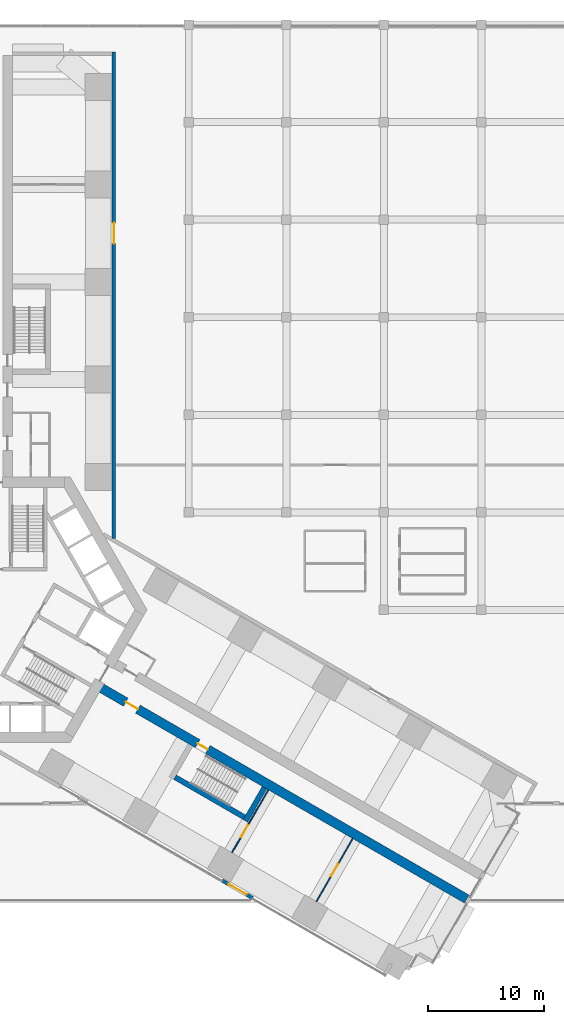
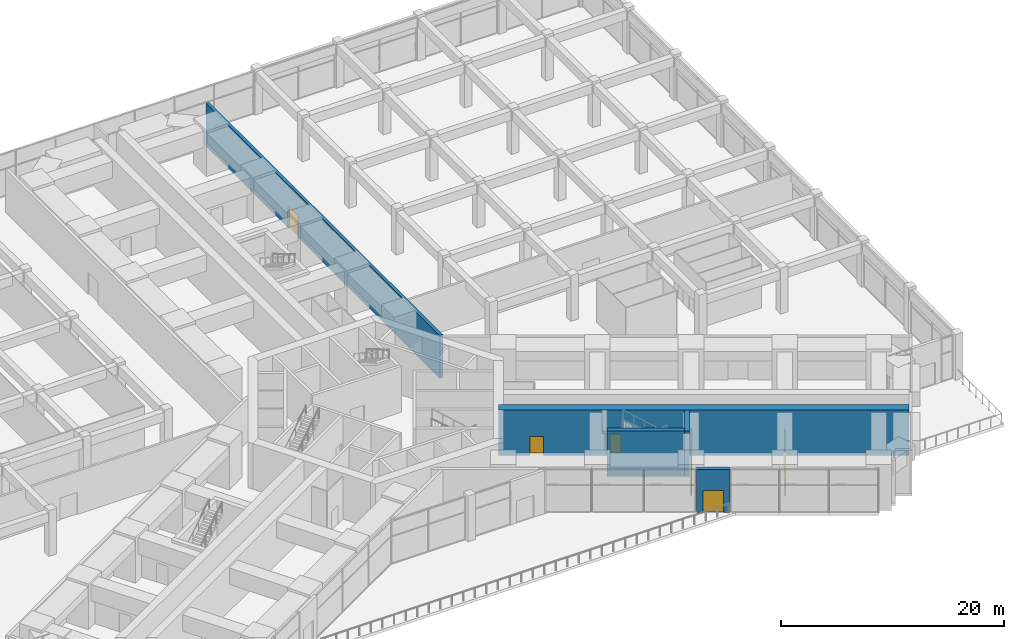
# One storey, part 30 of 34: 7 walls, 6 doors, 6 openings.
"""IFC4 building model written with IfcOpenShell, lengths in metres."""

import ifcopenshell
import ifcopenshell.guid

model = None  # the IFC model being written
_history = None  # IfcOwnerHistory: only IFC2X3 demands one
_inside = {}  # id of a spatial element -> (the spatial element, [elements in it])
_under = {}  # id of a project, library or spatial element -> (it, [spatial elements below it])
_declared = {}  # id of a project -> (the project, [libraries it declares])
_typed = {}  # id of a type object -> (the type object, [elements of that type])
_made_of = {}  # id of a material, layer set ... -> (it, [elements and type objects made of it])


def new_model(schema):
    """Start an empty IFC model of exactly this schema.

    Asked for "IFC4X3", IfcOpenShell would pick the latest addendum, in which some entities
    have other attributes; the version numbers below select the first issue.
    IFC2X3 requires an IfcOwnerHistory on every rooted entity: one is made here for all.
    """
    global model, _history
    if schema == "IFC4X3":
        model = ifcopenshell.file(schema_version=(4, 3, 0, 0))
    else:
        model = ifcopenshell.file(schema=schema)
    _inside.clear()
    _under.clear()
    _declared.clear()
    _typed.clear()
    _made_of.clear()
    _history = None
    if model.schema == "IFC2X3":
        org = make("IfcOrganization", Name="unknown")
        user = make(
            "IfcPersonAndOrganization",
            ThePerson=make("IfcPerson", FamilyName="unknown"),
            TheOrganization=org,
        )
        app = make(
            "IfcApplication",
            ApplicationDeveloper=org,
            Version="unknown",
            ApplicationFullName="unknown",
            ApplicationIdentifier="unknown",
        )
        _history = make(
            "IfcOwnerHistory",
            OwningUser=user,
            OwningApplication=app,
            ChangeAction="ADDED",
            CreationDate=0,
        )
    return model


def make(cls, **values):
    """One entity of the class cls with the attributes given. An attribute that is None is left unset."""
    return model.create_entity(
        cls, **{name: value for name, value in values.items() if value is not None}
    )


def rooted(cls, **values):
    """An entity with a GlobalId (a new one), such as an element, a storey or a relation."""
    return make(cls, GlobalId=ifcopenshell.guid.new(), OwnerHistory=_history, **values)


def si_unit(unit_type, name, prefix=None):
    """IfcSIUnit, for example si_unit("LENGTHUNIT", "METRE", prefix="MILLI")."""
    return make("IfcSIUnit", UnitType=unit_type, Prefix=prefix, Name=name)


def assignment(units):
    """IfcUnitAssignment: the units of a project."""
    return None if units is None else make("IfcUnitAssignment", Units=units)


def point(xyz):
    """IfcCartesianPoint."""
    return None if xyz is None else make("IfcCartesianPoint", Coordinates=xyz)


def direction(xyz):
    """IfcDirection."""
    return None if xyz is None else make("IfcDirection", DirectionRatios=xyz)


def frame(location, z_axis=None, x_axis=None):
    """IfcAxis2Placement3D, a coordinate frame: its origin and axes. An axis left out is left unset."""
    return make(
        "IfcAxis2Placement3D",
        Location=point(location),
        Axis=direction(z_axis),
        RefDirection=direction(x_axis),
    )


def frame_2d(location, x_axis=None):
    """IfcAxis2Placement2D, a coordinate frame in the plane: its origin and x axis."""
    return make(
        "IfcAxis2Placement2D", Location=point(location), RefDirection=direction(x_axis)
    )


def origin():
    """The frame at (0, 0, 0) with its axes left unset."""
    return frame((0.0, 0.0, 0.0))


def place(relative_to, where):
    """IfcLocalPlacement: puts the frame where relative to a parent placement (None: the world)."""
    return make(
        "IfcLocalPlacement", PlacementRelTo=relative_to, RelativePlacement=where
    )


def context(
    kind, dimensions, precision=None, world=None, true_north=None, identifier=None
):
    """IfcGeometricRepresentationContext, for example the 3D "Model" context."""
    return make(
        "IfcGeometricRepresentationContext",
        ContextIdentifier=identifier,
        ContextType=kind,
        CoordinateSpaceDimension=dimensions,
        Precision=precision,
        WorldCoordinateSystem=world,
        TrueNorth=true_north,
    )


def subcontext(parent, identifier, kind, view, scale=None):
    """IfcGeometricRepresentationSubContext, for example "Body" below "Model"."""
    return make(
        "IfcGeometricRepresentationSubContext",
        ContextIdentifier=identifier,
        ContextType=kind,
        ParentContext=parent,
        TargetScale=scale,
        TargetView=view,
    )


def project(units=None, contexts=None):
    """IfcProject with its units and contexts."""
    return rooted(
        "IfcProject",
        Name="project",
        RepresentationContexts=contexts,
        UnitsInContext=assignment(units),
    )


def spatial(cls, under=None, at=None, **own):
    """A site, building, storey or space (cls), placed at a placement, below another one or the project."""
    s = rooted(cls, ObjectPlacement=at, **own)
    if under is not None:
        _under.setdefault(under.id(), (under, []))[1].append(s)
    return s


def profile(cls, at=None, kind="AREA", **sizes):
    """A parametric profile (cls). Its sizes go by their IFC names, for example OverallWidth=200.0."""
    return make(cls, ProfileType=kind, Position=at, **sizes)


def rectangle(**sizes):
    """IfcRectangleProfileDef."""
    return profile("IfcRectangleProfileDef", **sizes)


def extrude(swept, where, along, depth):
    """IfcExtrudedAreaSolid: the profile swept, set in the frame where, extruded along a direction by depth."""
    return make(
        "IfcExtrudedAreaSolid",
        SweptArea=swept,
        Position=where,
        ExtrudedDirection=direction(along),
        Depth=depth,
    )


def shape(context_of_items, identifier, shape_type, items):
    """IfcShapeRepresentation: the items that make up one representation, for example the "Body"."""
    return make(
        "IfcShapeRepresentation",
        ContextOfItems=context_of_items,
        RepresentationIdentifier=identifier,
        RepresentationType=shape_type,
        Items=items,
    )


def material(Name=None, Category=None):
    """IfcMaterial."""
    return make("IfcMaterial", Name=Name, Category=Category)


def layer(
    of_material, thickness, ventilated=None, Name=None, Category=None, Priority=None
):
    """IfcMaterialLayer: one layer of a wall or slab, of a material (None: an air gap)."""
    return make(
        "IfcMaterialLayer",
        Material=of_material,
        LayerThickness=thickness,
        IsVentilated=ventilated,
        Name=Name,
        Category=Category,
        Priority=Priority,
    )


def layer_set(layers, Name=None):
    """IfcMaterialLayerSet."""
    return make("IfcMaterialLayerSet", MaterialLayers=layers, LayerSetName=Name)


def made_of(thing, what):
    """Note that an element or type object is made of a material, layer set ...; save() writes the relation."""
    if what is not None:
        _made_of.setdefault(what.id(), (what, []))[1].append(thing)
    return thing


def type_object(cls, material=None, **own):
    """A type object (cls), such as IfcWallType, which elements share."""
    return made_of(rooted(cls, **own), material)


def element(
    cls,
    number,
    at=None,
    inside=None,
    cuts=None,
    type_object=None,
    material=None,
    context=None,
    identifier="Body",
    shape_type=None,
    held_by="IfcProductDefinitionShape",
    body=None,
    shapes=None,
    **own,
):
    """One element of the class cls, such as IfcWall. Its Tag is "e" and its number.

    at: its placement. inside: the storey or other place that contains it. cuts: it is an
    opening in that element (IfcRelVoidsElement). A single representation is given by context,
    identifier, shape_type and body (its items); several are given by shapes. held_by: the class
    of the entity that holds the representations. save() writes the other relations.
    """
    e = rooted(cls, Tag="e%d" % number, ObjectPlacement=at, **own)
    if body is not None:
        shapes = [shape(context, identifier, shape_type, body)]
    if shapes is not None:
        e.Representation = make(held_by, Representations=shapes)
    if inside is not None:
        _inside.setdefault(inside.id(), (inside, []))[1].append(e)
    if cuts is not None:
        rooted(
            "IfcRelVoidsElement", RelatingBuildingElement=cuts, RelatedOpeningElement=e
        )
    if type_object is not None:
        _typed.setdefault(type_object.id(), (type_object, []))[1].append(e)
    return made_of(e, material)


def fill(opening, filler):
    """IfcRelFillsElement: the door or window that sits in an opening."""
    return rooted(
        "IfcRelFillsElement",
        RelatingOpeningElement=opening,
        RelatedBuildingElement=filler,
    )


def aggregate(whole, parts):
    """IfcRelAggregates: a whole, such as a stair, and the parts it consists of."""
    return rooted("IfcRelAggregates", RelatingObject=whole, RelatedObjects=parts)


def save(model, path):
    """Write the relations noted so far, then the file.

    IfcRelAggregates (storeys below a building ...), IfcRelContainedInSpatialStructure (elements
    in a storey), IfcRelDefinesByType, IfcRelAssociatesMaterial and IfcRelDeclares: one each for
    every whole, place, type object, material and project.
    """
    for whole, parts in _under.values():
        aggregate(whole, parts)
    for where, things in _inside.values():
        rooted(
            "IfcRelContainedInSpatialStructure",
            RelatedElements=things,
            RelatingStructure=where,
        )
    for kind, things in _typed.values():
        rooted("IfcRelDefinesByType", RelatedObjects=things, RelatingType=kind)
    for what, things in _made_of.values():
        rooted("IfcRelAssociatesMaterial", RelatedObjects=things, RelatingMaterial=what)
    for by, libraries in _declared.values():
        rooted("IfcRelDeclares", RelatingContext=by, RelatedDefinitions=libraries)
    model.write(path)


model = new_model("IFC4")

# Units and contexts
model_context = context("Model", 3, precision=1e-05, world=origin(), true_north=direction((0.0, 1.0)))
body_context = subcontext(model_context, "Body", "Model", "MODEL_VIEW")
ifc_project = project(units=[si_unit("LENGTHUNIT", "METRE"), si_unit("AREAUNIT", "SQUARE_METRE"), si_unit("VOLUMEUNIT", "CUBIC_METRE"), si_unit("PLANEANGLEUNIT", "RADIAN"), si_unit("MASSUNIT", "GRAM", prefix="KILO")], contexts=[model_context])

# Site, building, storey
site_placement = place(None, origin())
site = spatial("IfcSite", under=ifc_project, at=site_placement, CompositionType="ELEMENT")
building_placement = place(site_placement, origin())
building = spatial("IfcBuilding", under=site, at=building_placement, Name="Impinga Residences", CompositionType="ELEMENT")
storey_placement = place(building_placement, frame((0.0, 0.0, 16.0)))
storey = spatial("IfcBuildingStorey", under=building, at=storey_placement, Name="L03", CompositionType="ELEMENT", Elevation=16.0)

# Wall, openings, doors
ifc_material_1 = material(Name="Concrete C70/85", Category="concrete")
ifc_layer_1 = layer(ifc_material_1, 0.800048828125)
ifc_layer_set_1 = layer_set([ifc_layer_1], Name="Concrete C70/85")
wall_type_1 = type_object("IfcWallType", Name="BW0 corridor buttress wall, B3 to L04 800", PredefinedType="SHEAR", material=ifc_layer_set_1)
wall_1_placement = place(storey_placement, frame((8.910400390625, -6.530029296875, 0.0), z_axis=(0.0, 0.0, 1.0), x_axis=(0.866025284237, -0.500000207062, 0.0)))
wall_1 = element("IfcWall", 1, at=wall_1_placement, inside=storey, type_object=wall_type_1, Name="Corridor wall BW0 ED L03", PredefinedType="SHEAR", context=body_context, shape_type="SweptSolid", body=[
    extrude(rectangle(XDim=36.75, YDim=0.800048828125, at=frame_2d((18.375, 0.0))), origin(), (0.0, 0.0, 1.0), 5.0),
])
opening_1_placement = place(wall_1_placement, frame((10.0, 0.0, 0.0)))
opening_1 = element("IfcOpeningElement", 2, at=opening_1_placement, cuts=wall_1, Name="Opening D5", PredefinedType="OPENING", context=body_context, shape_type="SweptSolid", body=[
    extrude(rectangle(XDim=1.0, YDim=2.10009765625, at=frame_2d((0.5, 1.050048828125))), frame((0.0, 0.409912109375, 0.0), z_axis=(0.0, -1.0, 0.0), x_axis=(1.0, 0.0, 0.0)), (0.0, 0.0, 1.0), 0.820068359375),
])
opening_2_placement = place(wall_1_placement, frame((2.85009765625, 0.0, 0.0)))
opening_2 = element("IfcOpeningElement", 3, at=opening_2_placement, cuts=wall_1, Name="Opening D3", PredefinedType="OPENING", context=body_context, shape_type="SweptSolid", body=[
    extrude(rectangle(XDim=1.199951171875, YDim=2.10009765625, at=frame_2d((0.60009765625, 1.050048828125))), frame((0.0, 0.409912109375, 0.0), z_axis=(0.0, -1.0, 0.0), x_axis=(1.0, 0.0, 0.0)), (0.0, 0.0, 1.0), 0.820068359375),
])
ifc_material_2 = material(Name="Timber door set", Category="wood")
door_type_1 = type_object("IfcDoorType", Name="D3 room door, leaf and a half 1200x2100", OperationType="DOUBLE_SWING_LEFT", PredefinedType="DOOR", material=ifc_material_2)
door_1_placement = place(opening_2_placement, origin())
door_1 = element("IfcDoor", 4, at=door_1_placement, inside=storey, type_object=door_type_1, Name="Co-working lounge door L03-EF1", OperationType="DOUBLE_SWING_LEFT", OverallHeight=2.10009765625, OverallWidth=1.199951171875, PredefinedType="DOOR", context=body_context, shape_type="SweptSolid", body=[
    extrude(rectangle(XDim=1.199951171875, YDim=2.10009765625, at=frame_2d((0.60009765625, 1.050048828125))), frame((0.0, 0.02490234375, 0.0), z_axis=(0.0, -1.0, 0.0), x_axis=(1.0, 0.0, 0.0)), (0.0, 0.0, 1.0), 0.050048828125),
])
fill(opening_2, door_1)
door_type_2 = type_object("IfcDoorType", Name="D5 stair door 1000x2100", OperationType="SINGLE_SWING_LEFT", PredefinedType="DOOR", material=ifc_material_2)
door_2_placement = place(opening_1_placement, origin())
door_2 = element("IfcDoor", 5, at=door_2_placement, inside=storey, type_object=door_type_2, Name="Wing stair door E", OperationType="SINGLE_SWING_LEFT", OverallHeight=2.10009765625, OverallWidth=1.0, PredefinedType="DOOR", context=body_context, shape_type="SweptSolid", body=[
    extrude(rectangle(XDim=1.0, YDim=2.10009765625, at=frame_2d((0.5, 1.050048828125))), frame((0.0, 0.02490234375, 0.0), z_axis=(0.0, -1.0, 0.0), x_axis=(1.0, 0.0, 0.0)), (0.0, 0.0, 1.0), 0.050048828125),
])
fill(opening_1, door_2)

# Wall, opening, door
ifc_material_3 = material(Name="Concrete blockwork", Category="masonry")
ifc_layer_2 = layer(ifc_material_3, 0.10009765625)
ifc_layer_set_2 = layer_set([ifc_layer_2], Name="CP1 core room partition, blockwork 100")
wall_type_2 = type_object("IfcWallType", Name="CP1 core room partition, blockwork 100", PredefinedType="PARTITIONING", material=ifc_layer_set_2)
wall_2_placement = place(storey_placement, frame((23.649169921875, -15.50146484375, 0.0), z_axis=(0.0, 0.0, 1.0), x_axis=(-0.500004234368, -0.866022959057, 0.0)))
wall_2 = element("IfcWall", 6, at=wall_2_placement, inside=storey, type_object=wall_type_2, Name="Core room partition, blockwork L03-EF1:PS1", PredefinedType="PARTITIONING", context=body_context, shape_type="SweptSolid", body=[
    extrude(rectangle(XDim=6.25, YDim=0.10009765625, at=frame_2d((3.125, 0.0))), origin(), (0.0, 0.0, 1.0), 2.89990234375),
])
opening_3_placement = place(wall_2_placement, frame((3.52490234375, 0.0, 0.0)))
opening_3 = element("IfcOpeningElement", 7, at=opening_3_placement, cuts=wall_2, Name="Opening D3", PredefinedType="OPENING", context=body_context, shape_type="SweptSolid", body=[
    extrude(rectangle(XDim=1.199951171875, YDim=2.10009765625, at=frame_2d((0.60009765625, 1.050048828125))), frame((0.0, 0.06005859375, 0.0), z_axis=(0.0, -1.0, 0.0), x_axis=(1.0, 0.0, 0.0)), (0.0, 0.0, 1.0), 0.1201171875),
])
door_3_placement = place(opening_3_placement, origin())
door_3 = element("IfcDoor", 8, at=door_3_placement, inside=storey, type_object=door_type_1, Name="Meeting room door L03-EF1", OperationType="DOUBLE_SWING_LEFT", OverallHeight=2.10009765625, OverallWidth=1.199951171875, PredefinedType="DOOR", context=body_context, shape_type="SweptSolid", body=[
    extrude(rectangle(XDim=1.199951171875, YDim=2.10009765625, at=frame_2d((0.60009765625, 1.050048828125))), frame((0.0, 0.02490234375, 0.0), z_axis=(0.0, -1.0, 0.0), x_axis=(1.0, 0.0, 0.0)), (0.0, 0.0, 1.0), 0.050048828125),
])
fill(opening_3, door_3)

wall_3_placement = place(storey_placement, frame((30.923828125, -19.701416015625, 0.0), z_axis=(0.0, 0.0, 1.0), x_axis=(-0.500004234368, -0.866022959057, 0.0)))
wall_3 = element("IfcWall", 9, at=wall_3_placement, inside=storey, type_object=wall_type_2, Name="Core room partition, blockwork L03-EF1:PS2", PredefinedType="PARTITIONING", context=body_context, shape_type="SweptSolid", body=[
    extrude(rectangle(XDim=6.25, YDim=0.10009765625, at=frame_2d((3.125, 0.0))), origin(), (0.0, 0.0, 1.0), 2.89990234375),
])
opening_4_placement = place(wall_3_placement, frame((2.52490234375, 0.0, 0.0)))
opening_4 = element("IfcOpeningElement", 10, at=opening_4_placement, cuts=wall_3, Name="Opening D3", PredefinedType="OPENING", context=body_context, shape_type="SweptSolid", body=[
    extrude(rectangle(XDim=1.199951171875, YDim=2.10009765625, at=frame_2d((0.60009765625, 1.050048828125))), frame((0.0, 0.06005859375, 0.0), z_axis=(0.0, -1.0, 0.0), x_axis=(1.0, 0.0, 0.0)), (0.0, 0.0, 1.0), 0.1201171875),
])
door_4_placement = place(opening_4_placement, origin())
door_4 = element("IfcDoor", 11, at=door_4_placement, inside=storey, type_object=door_type_1, Name="Stationery store door L03-EF1", OperationType="DOUBLE_SWING_LEFT", OverallHeight=2.10009765625, OverallWidth=1.199951171875, PredefinedType="DOOR", context=body_context, shape_type="SweptSolid", body=[
    extrude(rectangle(XDim=1.199951171875, YDim=2.10009765625, at=frame_2d((0.60009765625, 1.050048828125))), frame((0.0, 0.02490234375, 0.0), z_axis=(0.0, -1.0, 0.0), x_axis=(1.0, 0.0, 0.0)), (0.0, 0.0, 1.0), 0.050048828125),
])
fill(opening_4, door_4)

ifc_material_4 = material(Name="Stone facing on blockwork", Category="masonry")
ifc_layer_3 = layer(ifc_material_4, 0.300048828125)
ifc_layer_set_3 = layer_set([ifc_layer_3], Name="EW2 external wall, stone facing on blockwork 300")
wall_type_3 = type_object("IfcWallType", Name="EW2 external wall, stone facing on blockwork 300", PredefinedType="SOLIDWALL", material=ifc_layer_set_3)
wall_4_placement = place(storey_placement, frame((22.297607421875, -24.82470703125, 0.0), z_axis=(0.0, 0.0, 1.0), x_axis=(-0.866031096941, 0.499990139034, 0.0)))
wall_4 = element("IfcWall", 12, at=wall_4_placement, inside=storey, type_object=wall_type_3, Name="External wall EW2 L03", PredefinedType="SOLIDWALL", context=body_context, shape_type="SweptSolid", body=[
    extrude(rectangle(XDim=3.0, YDim=0.300048828125, at=frame_2d((1.5, 0.0))), origin(), (0.0, 0.0, 1.0), 4.699951171875),
])
opening_5_placement = place(wall_4_placement, frame((0.60009765625, 0.0, 0.0)))
opening_5 = element("IfcOpeningElement", 13, at=opening_5_placement, cuts=wall_4, Name="Opening TD2", PredefinedType="OPENING", context=body_context, shape_type="SweptSolid", body=[
    extrude(rectangle(XDim=1.800048828125, YDim=2.39990234375, at=frame_2d((0.89990234375, 1.199951171875))), frame((0.0, 0.159912109375, 0.0), z_axis=(0.0, -1.0, 0.0), x_axis=(1.0, 0.0, 0.0)), (0.0, 0.0, 1.0), 0.320068359375),
])
ifc_material_5 = material(Name="Glazed aluminium door", Category="aluminium")
door_type_3 = type_object("IfcDoorType", Name="TD2 terrace door pair 1800x2400", OperationType="DOUBLE_DOOR_SINGLE_SWING", PredefinedType="DOOR", material=ifc_material_5)
door_5_placement = place(opening_5_placement, origin())
door_5 = element("IfcDoor", 14, at=door_5_placement, inside=storey, type_object=door_type_3, Name="Terrace doors L03", OperationType="DOUBLE_DOOR_SINGLE_SWING", OverallHeight=2.39990234375, OverallWidth=1.800048828125, PredefinedType="DOOR", context=body_context, shape_type="SweptSolid", body=[
    extrude(rectangle(XDim=1.800048828125, YDim=2.39990234375, at=frame_2d((0.89990234375, 1.199951171875))), frame((0.0, 0.02490234375, 0.0), z_axis=(0.0, -1.0, 0.0), x_axis=(1.0, 0.0, 0.0)), (0.0, 0.0, 1.0), 0.050048828125),
])
fill(opening_5, door_5)

ifc_layer_4 = layer(ifc_material_3, 0.300048828125)
ifc_layer_set_4 = layer_set([ifc_layer_4], Name="PW3 podium wall on the wing face 300")
wall_type_4 = type_object("IfcWallType", Name="PW3 podium wall on the wing face 300", PredefinedType="SOLIDWALL", material=ifc_layer_set_4)
wall_5_placement = place(storey_placement, frame((10.35009765625, 6.148681640625, 0.0), z_axis=(0.0, 0.0, 1.0), x_axis=(0.0, 1.0, 0.0)))
wall_5 = element("IfcWall", 15, at=wall_5_placement, inside=storey, type_object=wall_type_4, Name="Podium wall on the wing face L03:SIDE:NF0", PredefinedType="SOLIDWALL", context=body_context, shape_type="SweptSolid", body=[
    extrude(rectangle(XDim=41.8828125, YDim=0.300048828125, at=frame_2d((20.94140625, 0.0))), origin(), (0.0, 0.0, 1.0), 4.699951171875),
])
opening_6_placement = place(wall_5_placement, frame((25.3828125, 0.0, 0.0)))
opening_6 = element("IfcOpeningElement", 16, at=opening_6_placement, cuts=wall_5, Name="Opening D7", PredefinedType="OPENING", context=body_context, shape_type="SweptSolid", body=[
    extrude(rectangle(XDim=1.800048828125, YDim=2.39990234375, at=frame_2d((0.89990234375, 1.199951171875))), frame((0.0, 0.159912109375, 0.0), z_axis=(0.0, -1.0, 0.0), x_axis=(1.0, 0.0, 0.0)), (0.0, 0.0, 1.0), 0.320068359375),
])
door_type_4 = type_object("IfcDoorType", Name="D7 podium door pair 1800x2400", OperationType="DOUBLE_DOOR_DOUBLE_SWING", PredefinedType="DOOR", material=ifc_material_2)
door_6_placement = place(opening_6_placement, origin())
door_6 = element("IfcDoor", 17, at=door_6_placement, inside=storey, type_object=door_type_4, Name="Double door NF", OperationType="DOUBLE_DOOR_DOUBLE_SWING", OverallHeight=2.39990234375, OverallWidth=1.800048828125, PredefinedType="DOOR", context=body_context, shape_type="SweptSolid", body=[
    extrude(rectangle(XDim=1.800048828125, YDim=2.39990234375, at=frame_2d((0.89990234375, 1.199951171875))), frame((0.0, 0.02490234375, 0.0), z_axis=(0.0, -1.0, 0.0), x_axis=(1.0, 0.0, 0.0)), (0.0, 0.0, 1.0), 0.050048828125),
])
fill(opening_6, door_6)

# Walls
ifc_material_6 = material(Name="Concrete C60/75", Category="concrete")
ifc_layer_5 = layer(ifc_material_6, 0.449951171875)
ifc_layer_set_5 = layer_set([ifc_layer_5], Name="Concrete C60/75")
wall_type_5 = type_object("IfcWallType", Name="SE2 wing stair enclosure wall, ground and podium storeys 450", PredefinedType="SOLIDWALL", material=ifc_layer_set_5)
wall_6_placement = place(storey_placement, frame((23.324462890625, -15.31396484375, 0.0), z_axis=(0.0, 0.0, 1.0), x_axis=(-0.499974350878, -0.866040211805, 0.0)))
element("IfcWall", 18, at=wall_6_placement, inside=storey, type_object=wall_type_5, Name="Stair enclosure wall SE2 E END1 L03", PredefinedType="SOLIDWALL", context=body_context, shape_type="SweptSolid", body=[
    extrude(rectangle(XDim=3.300048828125, YDim=0.449951171875, at=frame_2d((1.64990234375, 0.0))), origin(), (0.0, 0.0, 1.0), 5.0),
])
wall_7_placement = place(storey_placement, frame((15.616455078125, -14.41455078125, 0.0), z_axis=(0.0, 0.0, 1.0), x_axis=(0.866028853923, -0.499994024137, 0.0)))
element("IfcWall", 19, at=wall_7_placement, inside=storey, type_object=wall_type_5, Name="Stair enclosure wall SE2 E OUT L03", PredefinedType="SOLIDWALL", context=body_context, shape_type="SweptSolid", body=[
    extrude(rectangle(XDim=6.89990234375, YDim=0.449951171875, at=frame_2d((3.449951171875, 0.0))), origin(), (0.0, 0.0, 1.0), 5.0),
])

save(model, "model.ifc")
